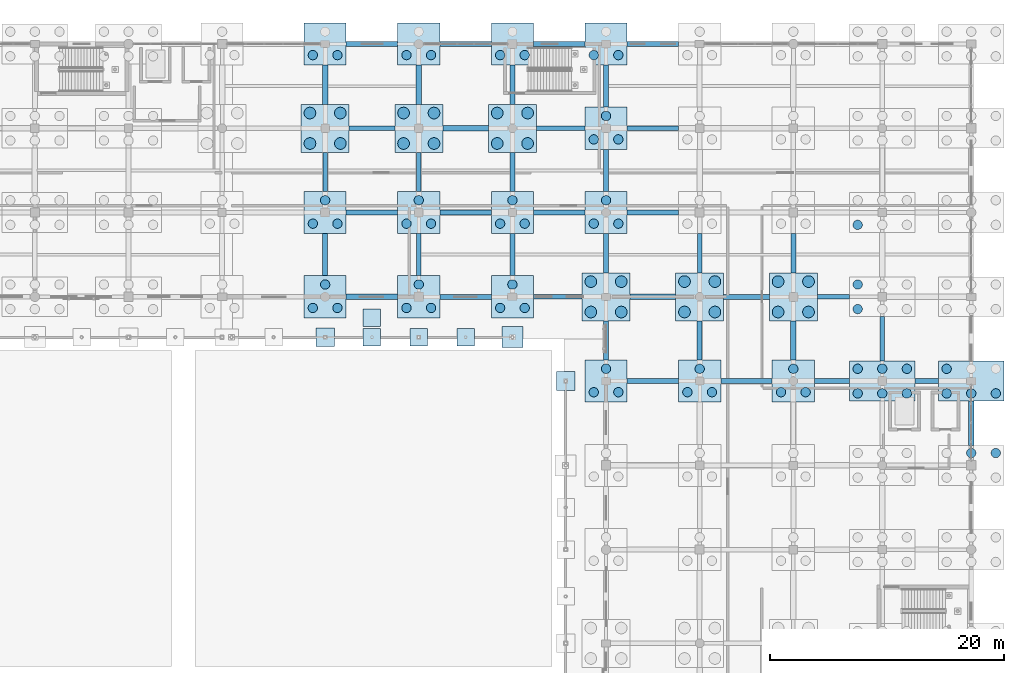
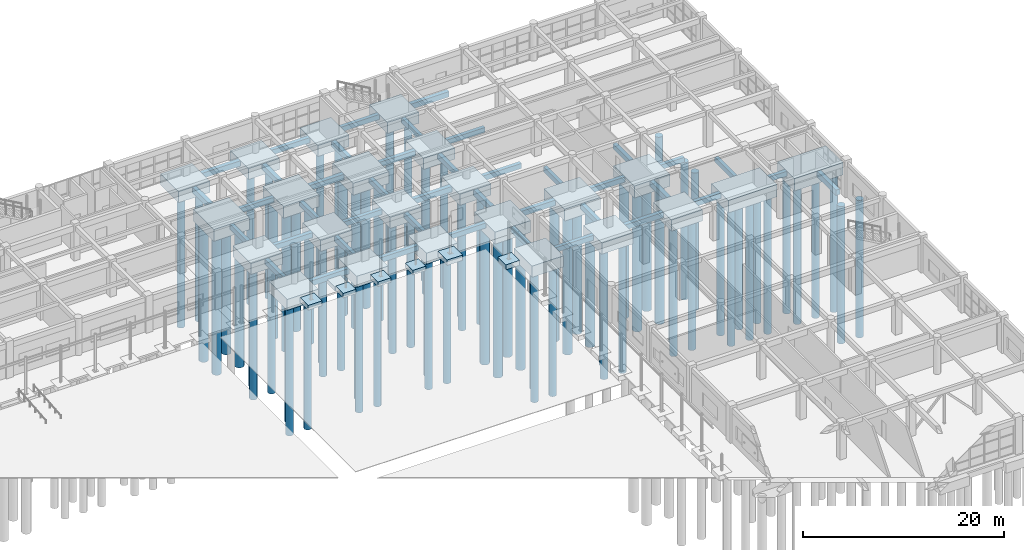
# One storey, part 8 of 166: 80 piles, 71 footings.
"""IFC4 building model written with IfcOpenShell, lengths in metres."""

from ifc_helpers import new_model, si_unit, direction, frame, origin, origin_2d, place, context, subcontext, project, spatial, rectangle, circle, extrude, material, material_profile, profile_set, type_object, element, save


model = new_model("IFC4")

# Units and contexts
model_context = context("Model", 3, precision=1e-05, world=origin(), true_north=direction((0.0, 1.0)))
body_context = subcontext(model_context, "Body", "Model", "MODEL_VIEW")
ifc_project = project(units=[si_unit("LENGTHUNIT", "METRE"), si_unit("AREAUNIT", "SQUARE_METRE"), si_unit("VOLUMEUNIT", "CUBIC_METRE"), si_unit("PLANEANGLEUNIT", "RADIAN"), si_unit("MASSUNIT", "GRAM", prefix="KILO")], contexts=[model_context])

# Site, building, storey
site_placement = place(None, origin())
site = spatial("IfcSite", under=ifc_project, at=site_placement, CompositionType="ELEMENT")
building_placement = place(site_placement, origin())
building = spatial("IfcBuilding", under=site, at=building_placement, Name="Kharva Crest Polytechnic", CompositionType="ELEMENT")
storey_placement = place(building_placement, origin())
storey = spatial("IfcBuildingStorey", under=building, at=storey_placement, Name="L00", CompositionType="ELEMENT", Elevation=0.0)

# Footings
ifc_material = material(Name="Concrete C35/45", Category="concrete")
footing_type_1 = type_object("IfcFootingType", Name="FTG-GB-400X600", PredefinedType="FOOTING_BEAM", material=ifc_material)
footing_1_placement = place(storey_placement, frame((156.800048828125, 93.199951171875, -1.005126953125), z_axis=(0.0, 0.0, 1.0), x_axis=(1.0, 0.0, 0.0)))
element("IfcFooting", 1, at=footing_1_placement, inside=storey, type_object=footing_type_1, Name="L00 Ground Tie Beam N/20-21", PredefinedType="FOOTING_BEAM", context=body_context, shape_type="SweptSolid", body=[
    extrude(rectangle(XDim=4.39990234375, YDim=0.39990234375, at=origin_2d()), origin(), (0.0, 0.0, 1.0), 0.60009765625),
])
footing_2_placement = place(storey_placement, frame((180.199951171875, 93.199951171875, -1.005126953125), z_axis=(0.0, 0.0, 1.0), x_axis=(1.0, 0.0, 0.0)))
element("IfcFooting", 2, at=footing_2_placement, inside=storey, type_object=footing_type_1, Name="L00 Ground Tie Beam N/23-24", PredefinedType="FOOTING_BEAM", context=body_context, shape_type="SweptSolid", body=[
    extrude(rectangle(XDim=2.0, YDim=0.39990234375, at=origin_2d()), origin(), (0.0, 0.0, 1.0), 0.60009765625),
])
footing_3_placement = place(storey_placement, frame((148.675048828125, 100.39990234375, -1.005126953125), z_axis=(0.0, 0.0, 1.0), x_axis=(1.0, 0.0, 0.0)))
element("IfcFooting", 3, at=footing_3_placement, inside=storey, type_object=footing_type_1, Name="L00 Ground Tie Beam P/19-20", PredefinedType="FOOTING_BEAM", context=body_context, shape_type="SweptSolid", body=[
    extrude(rectangle(XDim=4.14990234375, YDim=0.39990234375, at=origin_2d()), origin(), (0.0, 0.0, 1.0), 0.60009765625),
])
footing_4_placement = place(storey_placement, frame((172.22509765625, 100.39990234375, -1.005126953125), z_axis=(0.0, 0.0, 1.0), x_axis=(1.0, 0.0, 0.0)))
element("IfcFooting", 4, at=footing_4_placement, inside=storey, type_object=footing_type_1, Name="L00 Ground Tie Beam P/22-23", PredefinedType="FOOTING_BEAM", context=body_context, shape_type="SweptSolid", body=[
    extrude(rectangle(XDim=2.75, YDim=0.39990234375, at=origin_2d()), origin(), (0.0, 0.0, 1.0), 0.60009765625),
])
footing_5_placement = place(storey_placement, frame((140.800048828125, 107.60009765625, -1.005126953125), z_axis=(0.0, 0.0, 1.0), x_axis=(1.0, 0.0, 0.0)))
element("IfcFooting", 5, at=footing_5_placement, inside=storey, type_object=footing_type_1, Name="L00 Ground Tie Beam Q/18-19", PredefinedType="FOOTING_BEAM", context=body_context, shape_type="SweptSolid", body=[
    extrude(rectangle(XDim=4.39990234375, YDim=0.39990234375, at=origin_2d()), origin(), (0.0, 0.0, 1.0), 0.60009765625),
])
footing_6_placement = place(storey_placement, frame((132.800048828125, 114.800048828125, -1.005126953125), z_axis=(0.0, 0.0, 1.0), x_axis=(1.0, 0.0, 0.0)))
element("IfcFooting", 6, at=footing_6_placement, inside=storey, type_object=footing_type_1, Name="L00 Ground Tie Beam R/17-18", PredefinedType="FOOTING_BEAM", context=body_context, shape_type="SweptSolid", body=[
    extrude(rectangle(XDim=3.89990234375, YDim=0.39990234375, at=origin_2d()), origin(), (0.0, 0.0, 1.0), 0.60009765625),
])
for number, where, z_axis, x_axis, name in (
    (7, (156.800048828125, 114.800048828125, -1.005126953125), (0.0, 0.0, 1.0), (1.0, 0.0, 0.0), "L00 Ground Tie Beam R/20-21"),
    (8, (148.800048828125, 122.0, -1.005126953125), (0.0, 0.0, 1.0), (1.0, 0.0, 0.0), "L00 Ground Tie Beam S/19-20"),
):
    element("IfcFooting", number, at=place(storey_placement, frame(where, z_axis=z_axis, x_axis=x_axis)), inside=storey, type_object=footing_type_1, Name=name, PredefinedType="FOOTING_BEAM", context=body_context, shape_type="SweptSolid", body=[
        extrude(rectangle(XDim=4.39990234375, YDim=0.39990234375, at=origin_2d()), origin(), (0.0, 0.0, 1.0), 0.60009765625),
    ])
for number, where, z_axis, x_axis, name in (
    (9, (128.800048828125, 111.074951171875, -1.005126953125), (0.0, 0.0, 1.0), (0.0, 1.0, 0.0), "L00 Ground Tie Beam 17/Q-R"),
    (10, (136.800048828125, 111.074951171875, -1.005126953125), (0.0, 0.0, 1.0), (0.0, 1.0, 0.0), "L00 Ground Tie Beam 18/Q-R"),
    (11, (144.800048828125, 111.074951171875, -1.005126953125), (0.0, 0.0, 1.0), (0.0, 1.0, 0.0), "L00 Ground Tie Beam 19/Q-R"),
    (12, (152.800048828125, 96.675048828125, -1.005126953125), (0.0, 0.0, 1.0), (0.0, 1.0, 0.0), "L00 Ground Tie Beam 20/N-P"),
):
    element("IfcFooting", number, at=place(storey_placement, frame(where, z_axis=z_axis, x_axis=x_axis)), inside=storey, type_object=footing_type_1, Name=name, PredefinedType="FOOTING_BEAM", context=body_context, shape_type="SweptSolid", body=[
        extrude(rectangle(XDim=3.35009765625, YDim=0.39990234375, at=origin_2d()), origin(), (0.0, 0.0, 1.0), 0.60009765625),
    ])
footing_7_placement = place(storey_placement, frame((152.800048828125, 118.39990234375, -1.005126953125), z_axis=(0.0, 0.0, 1.0), x_axis=(0.0, 1.0, 0.0)))
element("IfcFooting", 13, at=footing_7_placement, inside=storey, type_object=footing_type_1, Name="L00 Ground Tie Beam 20/R-S", PredefinedType="FOOTING_BEAM", context=body_context, shape_type="SweptSolid", body=[
    extrude(rectangle(XDim=3.60009765625, YDim=0.39990234375, at=origin_2d()), origin(), (0.0, 0.0, 1.0), 0.60009765625),
])
footing_8_placement = place(storey_placement, frame((160.800048828125, 104.125, -1.005126953125), z_axis=(0.0, 0.0, 1.0), x_axis=(0.0, 1.0, 0.0)))
element("IfcFooting", 14, at=footing_8_placement, inside=storey, type_object=footing_type_1, Name="L00 Ground Tie Beam 21/P-Q", PredefinedType="FOOTING_BEAM", context=body_context, shape_type="SweptSolid", body=[
    extrude(rectangle(XDim=3.35009765625, YDim=0.39990234375, at=origin_2d()), origin(), (0.0, 0.0, 1.0), 0.60009765625),
])
footing_9_placement = place(storey_placement, frame((176.39990234375, 96.800048828125, -1.005126953125), z_axis=(0.0, 0.0, 1.0), x_axis=(0.0, 1.0, 0.0)))
element("IfcFooting", 15, at=footing_9_placement, inside=storey, type_object=footing_type_1, Name="L00 Ground Tie Beam 23/N-P", PredefinedType="FOOTING_BEAM", context=body_context, shape_type="SweptSolid", body=[
    extrude(rectangle(XDim=3.800048828125, YDim=0.39990234375, at=origin_2d()), origin(), (0.0, 0.0, 1.0), 0.60009765625),
])
footing_type_2 = type_object("IfcFootingType", Name="FTG-GB-420X620", PredefinedType="FOOTING_BEAM", material=ifc_material)
footing_10_placement = place(storey_placement, frame((172.10009765625, 93.199951171875, -1.025146484375), z_axis=(0.0, 0.0, 1.0), x_axis=(1.0, 0.0, 0.0)))
element("IfcFooting", 16, at=footing_10_placement, inside=storey, type_object=footing_type_2, Name="L00 Ground Tie Beam N/22-23", PredefinedType="FOOTING_BEAM", context=body_context, shape_type="SweptSolid", body=[
    extrude(rectangle(XDim=3.0, YDim=0.419921875, at=origin_2d()), origin(), (0.0, 0.0, 1.0), 0.6201171875),
])
footing_11_placement = place(storey_placement, frame((140.800048828125, 100.39990234375, -1.025146484375), z_axis=(0.0, 0.0, 1.0), x_axis=(1.0, 0.0, 0.0)))
element("IfcFooting", 17, at=footing_11_placement, inside=storey, type_object=footing_type_2, Name="L00 Ground Tie Beam P/18-19", PredefinedType="FOOTING_BEAM", context=body_context, shape_type="SweptSolid", body=[
    extrude(rectangle(XDim=4.39990234375, YDim=0.419921875, at=origin_2d()), origin(), (0.0, 0.0, 1.0), 0.6201171875),
])
footing_12_placement = place(storey_placement, frame((164.800048828125, 100.39990234375, -1.025146484375), z_axis=(0.0, 0.0, 1.0), x_axis=(1.0, 0.0, 0.0)))
element("IfcFooting", 18, at=footing_12_placement, inside=storey, type_object=footing_type_2, Name="L00 Ground Tie Beam P/21-22", PredefinedType="FOOTING_BEAM", context=body_context, shape_type="SweptSolid", body=[
    extrude(rectangle(XDim=3.89990234375, YDim=0.419921875, at=origin_2d()), origin(), (0.0, 0.0, 1.0), 0.6201171875),
])
for number, where, z_axis, x_axis, name in (
    (19, (132.800048828125, 107.60009765625, -1.025146484375), (0.0, 0.0, 1.0), (1.0, 0.0, 0.0), "L00 Ground Tie Beam Q/17-18"),
    (20, (156.800048828125, 107.60009765625, -1.025146484375), (0.0, 0.0, 1.0), (1.0, 0.0, 0.0), "L00 Ground Tie Beam Q/20-21"),
):
    element("IfcFooting", number, at=place(storey_placement, frame(where, z_axis=z_axis, x_axis=x_axis)), inside=storey, type_object=footing_type_2, Name=name, PredefinedType="FOOTING_BEAM", context=body_context, shape_type="SweptSolid", body=[
        extrude(rectangle(XDim=4.39990234375, YDim=0.419921875, at=origin_2d()), origin(), (0.0, 0.0, 1.0), 0.6201171875),
    ])
footing_13_placement = place(storey_placement, frame((148.925048828125, 114.800048828125, -1.025146484375), z_axis=(0.0, 0.0, 1.0), x_axis=(1.0, 0.0, 0.0)))
element("IfcFooting", 21, at=footing_13_placement, inside=storey, type_object=footing_type_2, Name="L00 Ground Tie Beam R/19-20", PredefinedType="FOOTING_BEAM", context=body_context, shape_type="SweptSolid", body=[
    extrude(rectangle(XDim=4.14990234375, YDim=0.419921875, at=origin_2d()), origin(), (0.0, 0.0, 1.0), 0.6201171875),
])
footing_14_placement = place(storey_placement, frame((140.800048828125, 122.0, -1.025146484375), z_axis=(0.0, 0.0, 1.0), x_axis=(1.0, 0.0, 0.0)))
element("IfcFooting", 22, at=footing_14_placement, inside=storey, type_object=footing_type_2, Name="L00 Ground Tie Beam S/18-19", PredefinedType="FOOTING_BEAM", context=body_context, shape_type="SweptSolid", body=[
    extrude(rectangle(XDim=4.39990234375, YDim=0.419921875, at=origin_2d()), origin(), (0.0, 0.0, 1.0), 0.6201171875),
])
for number, where, z_axis, x_axis, name in (
    (23, (128.800048828125, 104.0, -1.025146484375), (0.0, 0.0, 1.0), (0.0, 1.0, 0.0), "L00 Ground Tie Beam 17/P-Q"),
    (24, (136.800048828125, 104.0, -1.025146484375), (0.0, 0.0, 1.0), (0.0, 1.0, 0.0), "L00 Ground Tie Beam 18/P-Q"),
    (25, (144.800048828125, 104.0, -1.025146484375), (0.0, 0.0, 1.0), (0.0, 1.0, 0.0), "L00 Ground Tie Beam 19/P-Q"),
    (26, (152.800048828125, 111.199951171875, -1.025146484375), (0.0, 0.0, 1.0), (0.0, 1.0, 0.0), "L00 Ground Tie Beam 20/Q-R"),
):
    element("IfcFooting", number, at=place(storey_placement, frame(where, z_axis=z_axis, x_axis=x_axis)), inside=storey, type_object=footing_type_2, Name=name, PredefinedType="FOOTING_BEAM", context=body_context, shape_type="SweptSolid", body=[
        extrude(rectangle(XDim=3.60009765625, YDim=0.419921875, at=origin_2d()), origin(), (0.0, 0.0, 1.0), 0.6201171875),
    ])
for number, where, z_axis, x_axis, name in (
    (27, (160.800048828125, 96.675048828125, -1.025146484375), (0.0, 0.0, 1.0), (0.0, 1.0, 0.0), "L00 Ground Tie Beam 21/N-P"),
    (28, (168.800048828125, 104.125, -1.025146484375), (0.0, 0.0, 1.0), (0.0, 1.0, 0.0), "L00 Ground Tie Beam 22/P-Q"),
):
    element("IfcFooting", number, at=place(storey_placement, frame(where, z_axis=z_axis, x_axis=x_axis)), inside=storey, type_object=footing_type_2, Name=name, PredefinedType="FOOTING_BEAM", context=body_context, shape_type="SweptSolid", body=[
        extrude(rectangle(XDim=3.35009765625, YDim=0.419921875, at=origin_2d()), origin(), (0.0, 0.0, 1.0), 0.6201171875),
    ])
footing_type_3 = type_object("IfcFootingType", Name="FTG-GB-450X650", PredefinedType="FOOTING_BEAM", material=ifc_material)
for number, where, z_axis, x_axis, name in (
    (29, (164.800048828125, 93.199951171875, -1.054931640625), (0.0, 0.0, 1.0), (1.0, 0.0, 0.0), "L00 Ground Tie Beam N/21-22"),
    (30, (132.800048828125, 100.39990234375, -1.054931640625), (0.0, 0.0, 1.0), (1.0, 0.0, 0.0), "L00 Ground Tie Beam P/17-18"),
):
    element("IfcFooting", number, at=place(storey_placement, frame(where, z_axis=z_axis, x_axis=x_axis)), inside=storey, type_object=footing_type_3, Name=name, PredefinedType="FOOTING_BEAM", context=body_context, shape_type="SweptSolid", body=[
        extrude(rectangle(XDim=4.39990234375, YDim=0.449951171875, at=origin_2d()), origin(), (0.0, 0.0, 1.0), 0.64990234375),
    ])
footing_15_placement = place(storey_placement, frame((156.800048828125, 100.39990234375, -1.054931640625), z_axis=(0.0, 0.0, 1.0), x_axis=(1.0, 0.0, 0.0)))
element("IfcFooting", 31, at=footing_15_placement, inside=storey, type_object=footing_type_3, Name="L00 Ground Tie Beam P/20-21", PredefinedType="FOOTING_BEAM", context=body_context, shape_type="SweptSolid", body=[
    extrude(rectangle(XDim=3.89990234375, YDim=0.449951171875, at=origin_2d()), origin(), (0.0, 0.0, 1.0), 0.64990234375),
])
footing_16_placement = place(storey_placement, frame((148.800048828125, 107.60009765625, -1.054931640625), z_axis=(0.0, 0.0, 1.0), x_axis=(1.0, 0.0, 0.0)))
element("IfcFooting", 32, at=footing_16_placement, inside=storey, type_object=footing_type_3, Name="L00 Ground Tie Beam Q/19-20", PredefinedType="FOOTING_BEAM", context=body_context, shape_type="SweptSolid", body=[
    extrude(rectangle(XDim=4.39990234375, YDim=0.449951171875, at=origin_2d()), origin(), (0.0, 0.0, 1.0), 0.64990234375),
])
footing_17_placement = place(storey_placement, frame((140.800048828125, 114.800048828125, -1.054931640625), z_axis=(0.0, 0.0, 1.0), x_axis=(1.0, 0.0, 0.0)))
element("IfcFooting", 33, at=footing_17_placement, inside=storey, type_object=footing_type_3, Name="L00 Ground Tie Beam R/18-19", PredefinedType="FOOTING_BEAM", context=body_context, shape_type="SweptSolid", body=[
    extrude(rectangle(XDim=3.89990234375, YDim=0.449951171875, at=origin_2d()), origin(), (0.0, 0.0, 1.0), 0.64990234375),
])
for number, where, z_axis, x_axis, name in (
    (34, (132.800048828125, 122.0, -1.054931640625), (0.0, 0.0, 1.0), (1.0, 0.0, 0.0), "L00 Ground Tie Beam S/17-18"),
    (35, (156.800048828125, 122.0, -1.054931640625), (0.0, 0.0, 1.0), (1.0, 0.0, 0.0), "L00 Ground Tie Beam S/20-21"),
):
    element("IfcFooting", number, at=place(storey_placement, frame(where, z_axis=z_axis, x_axis=x_axis)), inside=storey, type_object=footing_type_3, Name=name, PredefinedType="FOOTING_BEAM", context=body_context, shape_type="SweptSolid", body=[
        extrude(rectangle(XDim=4.39990234375, YDim=0.449951171875, at=origin_2d()), origin(), (0.0, 0.0, 1.0), 0.64990234375),
    ])
for number, where, z_axis, x_axis, name in (
    (36, (128.800048828125, 118.52490234375, -1.054931640625), (0.0, 0.0, 1.0), (0.0, 1.0, 0.0), "L00 Ground Tie Beam 17/R-S"),
    (37, (136.800048828125, 118.52490234375, -1.054931640625), (0.0, 0.0, 1.0), (0.0, 1.0, 0.0), "L00 Ground Tie Beam 18/R-S"),
    (38, (144.800048828125, 118.52490234375, -1.054931640625), (0.0, 0.0, 1.0), (0.0, 1.0, 0.0), "L00 Ground Tie Beam 19/R-S"),
    (39, (152.800048828125, 104.125, -1.054931640625), (0.0, 0.0, 1.0), (0.0, 1.0, 0.0), "L00 Ground Tie Beam 20/P-Q"),
    (40, (168.800048828125, 96.675048828125, -1.054931640625), (0.0, 0.0, 1.0), (0.0, 1.0, 0.0), "L00 Ground Tie Beam 22/N-P"),
):
    element("IfcFooting", number, at=place(storey_placement, frame(where, z_axis=z_axis, x_axis=x_axis)), inside=storey, type_object=footing_type_3, Name=name, PredefinedType="FOOTING_BEAM", context=body_context, shape_type="SweptSolid", body=[
        extrude(rectangle(XDim=3.35009765625, YDim=0.449951171875, at=origin_2d()), origin(), (0.0, 0.0, 1.0), 0.64990234375),
    ])
footing_18_placement = place(storey_placement, frame((184.0, 89.60009765625, -1.054931640625), z_axis=(0.0, 0.0, 1.0), x_axis=(0.0, 1.0, 0.0)))
element("IfcFooting", 41, at=footing_18_placement, inside=storey, type_object=footing_type_3, Name="L00 Ground Tie Beam 24/M-N", PredefinedType="FOOTING_BEAM", context=body_context, shape_type="SweptSolid", body=[
    extrude(rectangle(XDim=3.800048828125, YDim=0.449951171875, at=origin_2d()), origin(), (0.0, 0.0, 1.0), 0.64990234375),
])
footing_type_4 = type_object("IfcFootingType", Name="FTG-PAD-1500X1500", PredefinedType="PAD_FOOTING", material=ifc_material)
for number, where, z_axis, x_axis, name in (
    (42, (136.800048828125, 96.949951171875, -0.5498046875), (0.0, 0.0, 1.0), (1.0, 0.0, 0.0), "L00 Colonnade Pad Footing VN12"),
    (43, (132.800048828125, 96.949951171875, -0.5498046875), (0.0, 0.0, 1.0), (1.0, 0.0, 0.0), "L00 Colonnade Mid Pad Footing VNM10"),
    (44, (140.800048828125, 96.949951171875, -0.5498046875), (0.0, 0.0, 1.0), (1.0, 0.0, 0.0), "L00 Colonnade Mid Pad Footing VNM11"),
):
    element("IfcFooting", number, at=place(storey_placement, frame(where, z_axis=z_axis, x_axis=x_axis)), inside=storey, type_object=footing_type_4, Name=name, PredefinedType="PAD_FOOTING", context=body_context, shape_type="SweptSolid", body=[
        extrude(rectangle(XDim=1.5, YDim=1.5, at=origin_2d()), origin(), (0.0, 0.0, 1.0), 0.550048828125),
    ])
footing_19_placement = place(storey_placement, frame((132.800048828125, 98.60009765625, -0.699951171875), z_axis=(0.0, 0.0, 1.0), x_axis=(1.0, 0.0, 0.0)))
element("IfcFooting", 45, at=footing_19_placement, inside=storey, type_object=footing_type_4, Name="L00 Outdoor Slab Mid Pad VER_N_L00-E", PredefinedType="PAD_FOOTING", context=body_context, shape_type="SweptSolid", body=[
    extrude(rectangle(XDim=1.5, YDim=1.5, at=origin_2d()), origin(), (0.0, 0.0, 1.0), 0.5),
])
footing_type_5 = type_object("IfcFootingType", Name="FTG-PAD-1600X1600", PredefinedType="PAD_FOOTING", material=ifc_material)
for number, where, z_axis, x_axis, name in (
    (46, (128.800048828125, 96.949951171875, -0.60009765625), (0.0, 0.0, 1.0), (1.0, 0.0, 0.0), "L00 Colonnade Pad Footing VN11"),
    (47, (149.35009765625, 93.199951171875, -0.60009765625), (0.0, 0.0, 1.0), (1.0, 0.0, 0.0), "L00 Colonnade Pad Footing VE07"),
):
    element("IfcFooting", number, at=place(storey_placement, frame(where, z_axis=z_axis, x_axis=x_axis)), inside=storey, type_object=footing_type_5, Name=name, PredefinedType="PAD_FOOTING", context=body_context, shape_type="SweptSolid", body=[
        extrude(rectangle(XDim=1.60009765625, YDim=1.60009765625, at=origin_2d()), origin(), (0.0, 0.0, 1.0), 0.60009765625),
    ])
footing_type_6 = type_object("IfcFootingType", Name="FTG-PAD-1800X1800", PredefinedType="PAD_FOOTING", material=ifc_material)
footing_20_placement = place(storey_placement, frame((144.800048828125, 96.949951171875, -0.64990234375), z_axis=(0.0, 0.0, 1.0), x_axis=(1.0, 0.0, 0.0)))
element("IfcFooting", 48, at=footing_20_placement, inside=storey, type_object=footing_type_6, Name="L00 Colonnade Pad Footing VN13", PredefinedType="PAD_FOOTING", context=body_context, shape_type="SweptSolid", body=[
    extrude(rectangle(XDim=1.800048828125, YDim=1.800048828125, at=origin_2d()), origin(), (0.0, 0.0, 1.0), 0.64990234375),
])
footing_type_7 = type_object("IfcFootingType", Name="FTG-PC-3600X3600", PredefinedType="PILE_CAP", material=ifc_material)
for number, where, z_axis, x_axis, name in (
    (49, (128.800048828125, 100.39990234375, -1.755126953125), (0.0, 0.0, 1.0), (1.0, 0.0, 0.0), "L00 Pile Cap 17/P"),
    (50, (128.800048828125, 107.60009765625, -1.755126953125), (0.0, 0.0, 1.0), (1.0, 0.0, 0.0), "L00 Pile Cap 17/Q"),
    (51, (128.800048828125, 122.0, -1.755126953125), (0.0, 0.0, 1.0), (1.0, 0.0, 0.0), "L00 Pile Cap 17/S"),
    (52, (136.800048828125, 100.39990234375, -1.755126953125), (0.0, 0.0, 1.0), (1.0, 0.0, 0.0), "L00 Pile Cap 18/P"),
    (53, (136.800048828125, 107.60009765625, -1.755126953125), (0.0, 0.0, 1.0), (1.0, 0.0, 0.0), "L00 Pile Cap 18/Q"),
    (54, (136.800048828125, 122.0, -1.755126953125), (0.0, 0.0, 1.0), (1.0, 0.0, 0.0), "L00 Pile Cap 18/S"),
    (55, (144.800048828125, 100.39990234375, -1.755126953125), (0.0, 0.0, 1.0), (1.0, 0.0, 0.0), "L00 Pile Cap 19/P"),
    (56, (144.800048828125, 107.60009765625, -1.755126953125), (0.0, 0.0, 1.0), (1.0, 0.0, 0.0), "L00 Pile Cap 19/Q"),
    (57, (144.800048828125, 122.0, -1.755126953125), (0.0, 0.0, 1.0), (1.0, 0.0, 0.0), "L00 Pile Cap 19/S"),
    (58, (152.800048828125, 93.199951171875, -1.755126953125), (0.0, 0.0, 1.0), (1.0, 0.0, 0.0), "L00 Pile Cap 20/N"),
    (59, (152.800048828125, 107.60009765625, -1.755126953125), (0.0, 0.0, 1.0), (1.0, 0.0, 0.0), "L00 Pile Cap 20/Q"),
    (60, (152.800048828125, 114.800048828125, -1.755126953125), (0.0, 0.0, 1.0), (1.0, 0.0, 0.0), "L00 Pile Cap 20/R"),
    (61, (152.800048828125, 122.0, -1.755126953125), (0.0, 0.0, 1.0), (1.0, 0.0, 0.0), "L00 Pile Cap 20/S"),
    (62, (160.800048828125, 93.199951171875, -1.755126953125), (0.0, 0.0, 1.0), (1.0, 0.0, 0.0), "L00 Pile Cap 21/N"),
    (63, (168.800048828125, 93.199951171875, -1.755126953125), (0.0, 0.0, 1.0), (1.0, 0.0, 0.0), "L00 Pile Cap 22/N"),
):
    element("IfcFooting", number, at=place(storey_placement, frame(where, z_axis=z_axis, x_axis=x_axis)), inside=storey, type_object=footing_type_7, Name=name, PredefinedType="PILE_CAP", context=body_context, shape_type="SweptSolid", body=[
        extrude(rectangle(XDim=3.60009765625, YDim=3.60009765625, at=origin_2d()), origin(), (0.0, 0.0, 1.0), 1.35009765625),
    ])
footing_type_8 = type_object("IfcFootingType", Name="FTG-PC-4100X4100", PredefinedType="PILE_CAP", material=ifc_material)
for number, where, z_axis, x_axis, name in (
    (64, (128.800048828125, 114.800048828125, -1.85498046875), (0.0, 0.0, 1.0), (1.0, 0.0, 0.0), "L00 Pile Cap 17/R"),
    (65, (136.800048828125, 114.800048828125, -1.85498046875), (0.0, 0.0, 1.0), (1.0, 0.0, 0.0), "L00 Pile Cap 18/R"),
    (66, (144.800048828125, 114.800048828125, -1.85498046875), (0.0, 0.0, 1.0), (1.0, 0.0, 0.0), "L00 Pile Cap 19/R"),
    (67, (152.800048828125, 100.39990234375, -1.85498046875), (0.0, 0.0, 1.0), (1.0, 0.0, 0.0), "L00 Pile Cap 20/P"),
    (68, (160.800048828125, 100.39990234375, -1.85498046875), (0.0, 0.0, 1.0), (1.0, 0.0, 0.0), "L00 Pile Cap 21/P"),
    (69, (168.800048828125, 100.39990234375, -1.85498046875), (0.0, 0.0, 1.0), (1.0, 0.0, 0.0), "L00 Pile Cap 22/P"),
):
    element("IfcFooting", number, at=place(storey_placement, frame(where, z_axis=z_axis, x_axis=x_axis)), inside=storey, type_object=footing_type_8, Name=name, PredefinedType="PILE_CAP", context=body_context, shape_type="SweptSolid", body=[
        extrude(rectangle(XDim=4.10009765625, YDim=4.10009765625, at=origin_2d()), origin(), (0.0, 0.0, 1.0), 1.449951171875),
    ])
footing_type_9 = type_object("IfcFootingType", Name="FTG-PC-5600X3400", PredefinedType="PILE_CAP", material=ifc_material)
for number, where, z_axis, x_axis, name in (
    (70, (176.39990234375, 93.199951171875, -1.905029296875), (0.0, 0.0, 1.0), (1.0, 0.0, 0.0), "L00 Pile Cap 23/N"),
    (71, (184.0, 93.199951171875, -1.905029296875), (0.0, 0.0, 1.0), (1.0, 0.0, 0.0), "L00 Pile Cap 24/N"),
):
    element("IfcFooting", number, at=place(storey_placement, frame(where, z_axis=z_axis, x_axis=x_axis)), inside=storey, type_object=footing_type_9, Name=name, PredefinedType="PILE_CAP", context=body_context, shape_type="SweptSolid", body=[
        extrude(rectangle(XDim=5.60009765625, YDim=3.39990234375, at=origin_2d()), origin(), (0.0, 0.0, 1.0), 1.5),
    ])

# Piles
ifc_material_profile_1 = material_profile(ifc_material, circle(Radius=0.5, at=origin_2d()), Name="DIA 1000")
ifc_profile_set_1 = profile_set([ifc_material_profile_1], Name="Concrete C35/45")
pile_type_1 = type_object("IfcPileType", Name="PILE-BORED-1000", PredefinedType="BORED", material=ifc_profile_set_1)
for number, where, z_axis, x_axis, name in (
    (72, (127.5, 113.5, -1.7548828125), (0.0, 0.0, -1.0), (1.0, 0.0, 0.0), "L00 Bored Pile 17/R-1"),
    (73, (130.10009765625, 113.5, -1.7548828125), (0.0, 0.0, -1.0), (1.0, 0.0, 0.0), "L00 Bored Pile 17/R-2"),
    (74, (127.5, 116.10009765625, -1.7548828125), (0.0, 0.0, -1.0), (1.0, 0.0, 0.0), "L00 Bored Pile 17/R-3"),
    (75, (130.10009765625, 116.10009765625, -1.7548828125), (0.0, 0.0, -1.0), (1.0, 0.0, 0.0), "L00 Bored Pile 17/R-4"),
    (76, (135.5, 113.5, -1.7548828125), (0.0, 0.0, -1.0), (1.0, 0.0, 0.0), "L00 Bored Pile 18/R-1"),
    (77, (138.10009765625, 113.5, -1.7548828125), (0.0, 0.0, -1.0), (1.0, 0.0, 0.0), "L00 Bored Pile 18/R-2"),
    (78, (135.5, 116.10009765625, -1.7548828125), (0.0, 0.0, -1.0), (1.0, 0.0, 0.0), "L00 Bored Pile 18/R-3"),
    (79, (138.10009765625, 116.10009765625, -1.7548828125), (0.0, 0.0, -1.0), (1.0, 0.0, 0.0), "L00 Bored Pile 18/R-4"),
    (80, (143.5, 113.5, -1.7548828125), (0.0, 0.0, -1.0), (1.0, 0.0, 0.0), "L00 Bored Pile 19/R-1"),
    (81, (146.10009765625, 113.5, -1.7548828125), (0.0, 0.0, -1.0), (1.0, 0.0, 0.0), "L00 Bored Pile 19/R-2"),
    (82, (143.5, 116.10009765625, -1.7548828125), (0.0, 0.0, -1.0), (1.0, 0.0, 0.0), "L00 Bored Pile 19/R-3"),
    (83, (146.10009765625, 116.10009765625, -1.7548828125), (0.0, 0.0, -1.0), (1.0, 0.0, 0.0), "L00 Bored Pile 19/R-4"),
    (84, (151.5, 99.10009765625, -1.7548828125), (0.0, 0.0, -1.0), (1.0, 0.0, 0.0), "L00 Bored Pile 20/P-1"),
    (85, (154.10009765625, 99.10009765625, -1.7548828125), (0.0, 0.0, -1.0), (1.0, 0.0, 0.0), "L00 Bored Pile 20/P-2"),
    (86, (151.5, 101.699951171875, -1.7548828125), (0.0, 0.0, -1.0), (1.0, 0.0, 0.0), "L00 Bored Pile 20/P-3"),
    (87, (154.10009765625, 101.699951171875, -1.7548828125), (0.0, 0.0, -1.0), (1.0, 0.0, 0.0), "L00 Bored Pile 20/P-4"),
    (88, (159.5, 99.10009765625, -1.7548828125), (0.0, 0.0, -1.0), (1.0, 0.0, 0.0), "L00 Bored Pile 21/P-1"),
    (89, (162.10009765625, 99.10009765625, -1.7548828125), (0.0, 0.0, -1.0), (1.0, 0.0, 0.0), "L00 Bored Pile 21/P-2"),
    (90, (159.5, 101.699951171875, -1.7548828125), (0.0, 0.0, -1.0), (1.0, 0.0, 0.0), "L00 Bored Pile 21/P-3"),
    (91, (162.10009765625, 101.699951171875, -1.7548828125), (0.0, 0.0, -1.0), (1.0, 0.0, 0.0), "L00 Bored Pile 21/P-4"),
    (92, (167.5, 99.10009765625, -1.7548828125), (0.0, 0.0, -1.0), (1.0, 0.0, 0.0), "L00 Bored Pile 22/P-1"),
    (93, (170.10009765625, 99.10009765625, -1.7548828125), (0.0, 0.0, -1.0), (1.0, 0.0, 0.0), "L00 Bored Pile 22/P-2"),
    (94, (167.5, 101.699951171875, -1.7548828125), (0.0, 0.0, -1.0), (1.0, 0.0, 0.0), "L00 Bored Pile 22/P-3"),
    (95, (170.10009765625, 101.699951171875, -1.7548828125), (0.0, 0.0, -1.0), (1.0, 0.0, 0.0), "L00 Bored Pile 22/P-4"),
):
    element("IfcPile", number, at=place(storey_placement, frame(where, z_axis=z_axis, x_axis=x_axis)), inside=storey, type_object=pile_type_1, Name=name, PredefinedType="BORED", context=body_context, shape_type="SweptSolid", body=[
        extrude(circle(Radius=0.5, at=origin_2d()), origin(), (0.0, 0.0, 1.0), 16.7451171875),
    ])
ifc_material_profile_2 = material_profile(ifc_material, circle(Radius=0.39990234375, at=origin_2d()), Name="DIA 800")
ifc_profile_set_2 = profile_set([ifc_material_profile_2], Name="Concrete C35/45")
pile_type_2 = type_object("IfcPileType", Name="PILE-BORED-800", PredefinedType="BORED", material=ifc_profile_set_2)
for number, where, z_axis, x_axis, name in (
    (96, (127.75, 99.449951171875, -1.655029296875), (0.0, 0.0, -1.0), (1.0, 0.0, 0.0), "L00 Bored Pile 17/P-1"),
    (97, (129.85009765625, 99.449951171875, -1.655029296875), (0.0, 0.0, -1.0), (1.0, 0.0, 0.0), "L00 Bored Pile 17/P-2"),
    (98, (128.800048828125, 101.449951171875, -1.655029296875), (0.0, 0.0, -1.0), (1.0, 0.0, 0.0), "L00 Bored Pile 17/P-3"),
    (99, (127.75, 106.64990234375, -1.655029296875), (0.0, 0.0, -1.0), (1.0, 0.0, 0.0), "L00 Bored Pile 17/Q-1"),
    (100, (129.85009765625, 106.64990234375, -1.655029296875), (0.0, 0.0, -1.0), (1.0, 0.0, 0.0), "L00 Bored Pile 17/Q-2"),
    (101, (128.800048828125, 108.64990234375, -1.655029296875), (0.0, 0.0, -1.0), (1.0, 0.0, 0.0), "L00 Bored Pile 17/Q-3"),
    (102, (127.75, 121.050048828125, -1.655029296875), (0.0, 0.0, -1.0), (1.0, 0.0, 0.0), "L00 Bored Pile 17/S-1"),
    (103, (129.85009765625, 121.050048828125, -1.655029296875), (0.0, 0.0, -1.0), (1.0, 0.0, 0.0), "L00 Bored Pile 17/S-2"),
    (104, (135.75, 99.449951171875, -1.655029296875), (0.0, 0.0, -1.0), (1.0, 0.0, 0.0), "L00 Bored Pile 18/P-1"),
    (105, (137.85009765625, 99.449951171875, -1.655029296875), (0.0, 0.0, -1.0), (1.0, 0.0, 0.0), "L00 Bored Pile 18/P-2"),
    (106, (136.800048828125, 101.449951171875, -1.655029296875), (0.0, 0.0, -1.0), (1.0, 0.0, 0.0), "L00 Bored Pile 18/P-3"),
    (107, (135.75, 106.64990234375, -1.655029296875), (0.0, 0.0, -1.0), (1.0, 0.0, 0.0), "L00 Bored Pile 18/Q-1"),
    (108, (137.85009765625, 106.64990234375, -1.655029296875), (0.0, 0.0, -1.0), (1.0, 0.0, 0.0), "L00 Bored Pile 18/Q-2"),
    (109, (136.800048828125, 108.64990234375, -1.655029296875), (0.0, 0.0, -1.0), (1.0, 0.0, 0.0), "L00 Bored Pile 18/Q-3"),
    (110, (135.75, 121.050048828125, -1.655029296875), (0.0, 0.0, -1.0), (1.0, 0.0, 0.0), "L00 Bored Pile 18/S-1"),
    (111, (137.85009765625, 121.050048828125, -1.655029296875), (0.0, 0.0, -1.0), (1.0, 0.0, 0.0), "L00 Bored Pile 18/S-2"),
    (112, (143.75, 99.449951171875, -1.655029296875), (0.0, 0.0, -1.0), (1.0, 0.0, 0.0), "L00 Bored Pile 19/P-1"),
    (113, (145.85009765625, 99.449951171875, -1.655029296875), (0.0, 0.0, -1.0), (1.0, 0.0, 0.0), "L00 Bored Pile 19/P-2"),
    (114, (144.800048828125, 101.449951171875, -1.655029296875), (0.0, 0.0, -1.0), (1.0, 0.0, 0.0), "L00 Bored Pile 19/P-3"),
    (115, (143.75, 106.64990234375, -1.655029296875), (0.0, 0.0, -1.0), (1.0, 0.0, 0.0), "L00 Bored Pile 19/Q-1"),
    (116, (145.85009765625, 106.64990234375, -1.655029296875), (0.0, 0.0, -1.0), (1.0, 0.0, 0.0), "L00 Bored Pile 19/Q-2"),
    (117, (144.800048828125, 108.64990234375, -1.655029296875), (0.0, 0.0, -1.0), (1.0, 0.0, 0.0), "L00 Bored Pile 19/Q-3"),
    (118, (143.75, 121.050048828125, -1.655029296875), (0.0, 0.0, -1.0), (1.0, 0.0, 0.0), "L00 Bored Pile 19/S-1"),
    (119, (145.85009765625, 121.050048828125, -1.655029296875), (0.0, 0.0, -1.0), (1.0, 0.0, 0.0), "L00 Bored Pile 19/S-2"),
    (120, (151.75, 92.25, -1.655029296875), (0.0, 0.0, -1.0), (1.0, 0.0, 0.0), "L00 Bored Pile 20/N-1"),
    (121, (153.85009765625, 92.25, -1.655029296875), (0.0, 0.0, -1.0), (1.0, 0.0, 0.0), "L00 Bored Pile 20/N-2"),
    (122, (152.800048828125, 94.25, -1.655029296875), (0.0, 0.0, -1.0), (1.0, 0.0, 0.0), "L00 Bored Pile 20/N-3"),
    (123, (151.75, 106.64990234375, -1.655029296875), (0.0, 0.0, -1.0), (1.0, 0.0, 0.0), "L00 Bored Pile 20/Q-1"),
    (124, (153.85009765625, 106.64990234375, -1.655029296875), (0.0, 0.0, -1.0), (1.0, 0.0, 0.0), "L00 Bored Pile 20/Q-2"),
    (125, (152.800048828125, 108.64990234375, -1.655029296875), (0.0, 0.0, -1.0), (1.0, 0.0, 0.0), "L00 Bored Pile 20/Q-3"),
    (126, (151.75, 113.85009765625, -1.655029296875), (0.0, 0.0, -1.0), (1.0, 0.0, 0.0), "L00 Bored Pile 20/R-1"),
    (127, (153.85009765625, 113.85009765625, -1.655029296875), (0.0, 0.0, -1.0), (1.0, 0.0, 0.0), "L00 Bored Pile 20/R-2"),
    (128, (152.800048828125, 115.85009765625, -1.655029296875), (0.0, 0.0, -1.0), (1.0, 0.0, 0.0), "L00 Bored Pile 20/R-3"),
    (129, (151.75, 121.050048828125, -1.655029296875), (0.0, 0.0, -1.0), (1.0, 0.0, 0.0), "L00 Bored Pile 20/S-1"),
    (130, (153.85009765625, 121.050048828125, -1.655029296875), (0.0, 0.0, -1.0), (1.0, 0.0, 0.0), "L00 Bored Pile 20/S-2"),
    (131, (159.75, 92.25, -1.655029296875), (0.0, 0.0, -1.0), (1.0, 0.0, 0.0), "L00 Bored Pile 21/N-1"),
    (132, (161.85009765625, 92.25, -1.655029296875), (0.0, 0.0, -1.0), (1.0, 0.0, 0.0), "L00 Bored Pile 21/N-2"),
    (133, (160.800048828125, 94.25, -1.655029296875), (0.0, 0.0, -1.0), (1.0, 0.0, 0.0), "L00 Bored Pile 21/N-3"),
    (134, (167.75, 92.25, -1.655029296875), (0.0, 0.0, -1.0), (1.0, 0.0, 0.0), "L00 Bored Pile 22/N-1"),
    (135, (169.85009765625, 92.25, -1.655029296875), (0.0, 0.0, -1.0), (1.0, 0.0, 0.0), "L00 Bored Pile 22/N-2"),
    (136, (168.800048828125, 94.25, -1.655029296875), (0.0, 0.0, -1.0), (1.0, 0.0, 0.0), "L00 Bored Pile 22/N-3"),
):
    element("IfcPile", number, at=place(storey_placement, frame(where, z_axis=z_axis, x_axis=x_axis)), inside=storey, type_object=pile_type_2, Name=name, PredefinedType="BORED", context=body_context, shape_type="SweptSolid", body=[
        extrude(circle(Radius=0.39990234375, at=origin_2d()), origin(), (0.0, 0.0, 1.0), 15.844970703125),
    ])
for number, where, z_axis, x_axis, name in (
    (137, (174.300048828125, 92.14990234375, -1.804931640625), (0.0, 0.0, -1.0), (1.0, 0.0, 0.0), "L00 Bored Pile 23/N-1"),
    (138, (176.39990234375, 92.14990234375, -1.804931640625), (0.0, 0.0, -1.0), (1.0, 0.0, 0.0), "L00 Bored Pile 23/N-2"),
    (139, (178.5, 92.14990234375, -1.804931640625), (0.0, 0.0, -1.0), (1.0, 0.0, 0.0), "L00 Bored Pile 23/N-3"),
    (140, (174.300048828125, 94.25, -1.804931640625), (0.0, 0.0, -1.0), (1.0, 0.0, 0.0), "L00 Bored Pile 23/N-4"),
    (141, (176.39990234375, 94.25, -1.804931640625), (0.0, 0.0, -1.0), (1.0, 0.0, 0.0), "L00 Bored Pile 23/N-5"),
    (142, (178.5, 94.25, -1.804931640625), (0.0, 0.0, -1.0), (1.0, 0.0, 0.0), "L00 Bored Pile 23/N-6"),
    (143, (174.300048828125, 99.35009765625, -1.804931640625), (0.0, 0.0, -1.0), (1.0, 0.0, 0.0), "L00 Bored Pile 23/P-1"),
    (144, (174.300048828125, 101.449951171875, -1.804931640625), (0.0, 0.0, -1.0), (1.0, 0.0, 0.0), "L00 Bored Pile 23/P-4"),
    (145, (174.300048828125, 106.550048828125, -1.804931640625), (0.0, 0.0, -1.0), (1.0, 0.0, 0.0), "L00 Bored Pile 23/Q-1"),
    (146, (184.0, 87.050048828125, -1.804931640625), (0.0, 0.0, -1.0), (1.0, 0.0, 0.0), "L00 Bored Pile 24/M-5"),
    (147, (186.10009765625, 87.050048828125, -1.804931640625), (0.0, 0.0, -1.0), (1.0, 0.0, 0.0), "L00 Bored Pile 24/M-6"),
    (148, (181.89990234375, 92.14990234375, -1.804931640625), (0.0, 0.0, -1.0), (1.0, 0.0, 0.0), "L00 Bored Pile 24/N-1"),
    (149, (184.0, 92.14990234375, -1.804931640625), (0.0, 0.0, -1.0), (1.0, 0.0, 0.0), "L00 Bored Pile 24/N-2"),
    (150, (186.10009765625, 92.14990234375, -1.804931640625), (0.0, 0.0, -1.0), (1.0, 0.0, 0.0), "L00 Bored Pile 24/N-3"),
    (151, (181.89990234375, 94.25, -1.804931640625), (0.0, 0.0, -1.0), (1.0, 0.0, 0.0), "L00 Bored Pile 24/N-4"),
):
    element("IfcPile", number, at=place(storey_placement, frame(where, z_axis=z_axis, x_axis=x_axis)), inside=storey, type_object=pile_type_2, Name=name, PredefinedType="BORED", context=body_context, shape_type="SweptSolid", body=[
        extrude(circle(Radius=0.39990234375, at=origin_2d()), origin(), (0.0, 0.0, 1.0), 16.695068359375),
    ])

save(model, "model.ifc")
